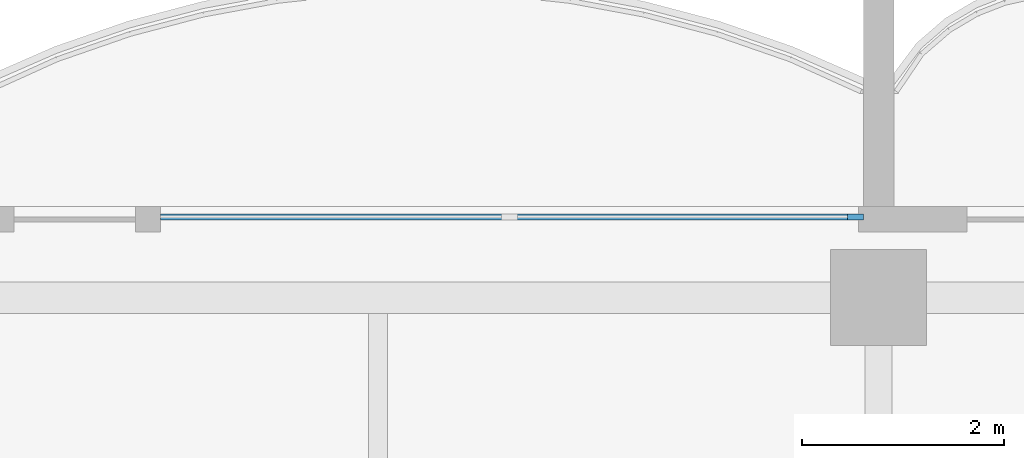
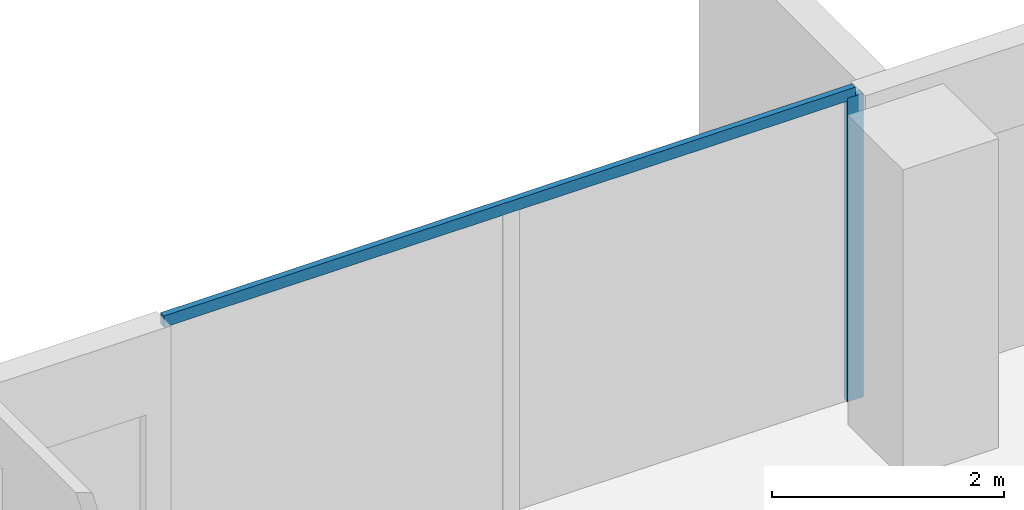
# One storey, part 6 of 17: 2 members, 1 element without a shape of its own.
"""IFC4 building model written with IfcOpenShell, lengths in metres."""

from ifc_helpers import new_model, si_unit, direction, frame, origin, origin_2d, place, context, subcontext, project, spatial, rectangle, extrude, material, material_profile, profile_set, type_object, element, aggregate, save


model = new_model("IFC4")

# Units and contexts
model_context = context("Model", 3, precision=1e-05, world=origin(), true_north=direction((0.0, 1.0)))
body_context = subcontext(model_context, "Body", "Model", "MODEL_VIEW")
ifc_project = project(units=[si_unit("LENGTHUNIT", "METRE"), si_unit("AREAUNIT", "SQUARE_METRE"), si_unit("VOLUMEUNIT", "CUBIC_METRE"), si_unit("PLANEANGLEUNIT", "RADIAN"), si_unit("MASSUNIT", "GRAM", prefix="KILO")], contexts=[model_context])

# Site, building, storey
site_placement = place(None, origin())
site = spatial("IfcSite", under=ifc_project, at=site_placement, CompositionType="ELEMENT")
building_placement = place(site_placement, origin())
building = spatial("IfcBuilding", under=site, at=building_placement, Name="Perihelion Cross Residences", CompositionType="ELEMENT")
storey_placement = place(building_placement, frame((0.0, 0.0, 191.10009765625)))
storey = spatial("IfcBuildingStorey", under=building, at=storey_placement, Name="L47", CompositionType="ELEMENT", Elevation=191.10009765625)

# Curtain wall, members
ifc_material_1 = material(Name="Bronze anodised aluminium, tinted glazing", Category="aluminium")
curtain_wall_type = type_object("IfcCurtainWallType", Name="CW1", PredefinedType="NOTDEFINED", material=ifc_material_1)
curtain_wall_placement = place(storey_placement, origin())
curtain_wall = element("IfcCurtainWall", 1, at=curtain_wall_placement, inside=storey, type_object=curtain_wall_type, Name="Curtain wall CW1 L47 east side north bay 2", PredefinedType="NOTDEFINED")
ifc_material_2 = material(Name="Bronze anodised aluminium", Category="aluminium")
ifc_material_profile_1 = material_profile(ifc_material_2, rectangle(XDim=0.06005859375, YDim=0.159912109375, at=origin_2d()), Name="CW1 mullion")
ifc_profile_set_1 = profile_set([ifc_material_profile_1], Name="Bronze anodised aluminium")
member_type_1 = type_object("IfcMemberType", Name="CW1 mullion", PredefinedType="MULLION", material=ifc_profile_set_1)
member_1_placement = place(storey_placement, frame((17.77001953125, 8.89990234375, 0.0), z_axis=(0.0, 0.0, 1.0), x_axis=(0.0, -1.0, 0.0)))
member_1 = element("IfcMember", 2, at=member_1_placement, type_object=member_type_1, Name="CW1 mullion 1", PredefinedType="MULLION", context=body_context, shape_type="SweptSolid", body=[
    extrude(rectangle(XDim=0.06005859375, YDim=0.159912109375, at=origin_2d()), origin(), (0.0, 0.0, 1.0), 3.18994140625),
])
ifc_material_3 = material(Name="Bronze anodised aluminium", Category="aluminium")
ifc_material_profile_2 = material_profile(ifc_material_3, rectangle(XDim=0.06005859375, YDim=0.1201171875, at=origin_2d()), Name="CW1 transom")
ifc_profile_set_2 = profile_set([ifc_material_profile_2], Name="Bronze anodised aluminium")
member_type_2 = type_object("IfcMemberType", Name="CW1 transom", PredefinedType="USERDEFINED", material=ifc_profile_set_2)
member_2_placement = place(storey_placement, frame((17.77001953125, 8.89990234375, 3.219970703125), z_axis=(-1.0, 0.0, 0.0), x_axis=(0.0, -1.0, 0.0)))
member_2 = element("IfcMember", 3, at=member_2_placement, type_object=member_type_2, Name="CW1 head transom", ObjectType="TRANSOM", PredefinedType="USERDEFINED", context=body_context, shape_type="SweptSolid", body=[
    extrude(rectangle(XDim=0.06005859375, YDim=0.1201171875, at=origin_2d()), origin(), (0.0, 0.0, 1.0), 6.8701171875),
])
aggregate(curtain_wall, [member_1, member_2])

save(model, "model.ifc")
